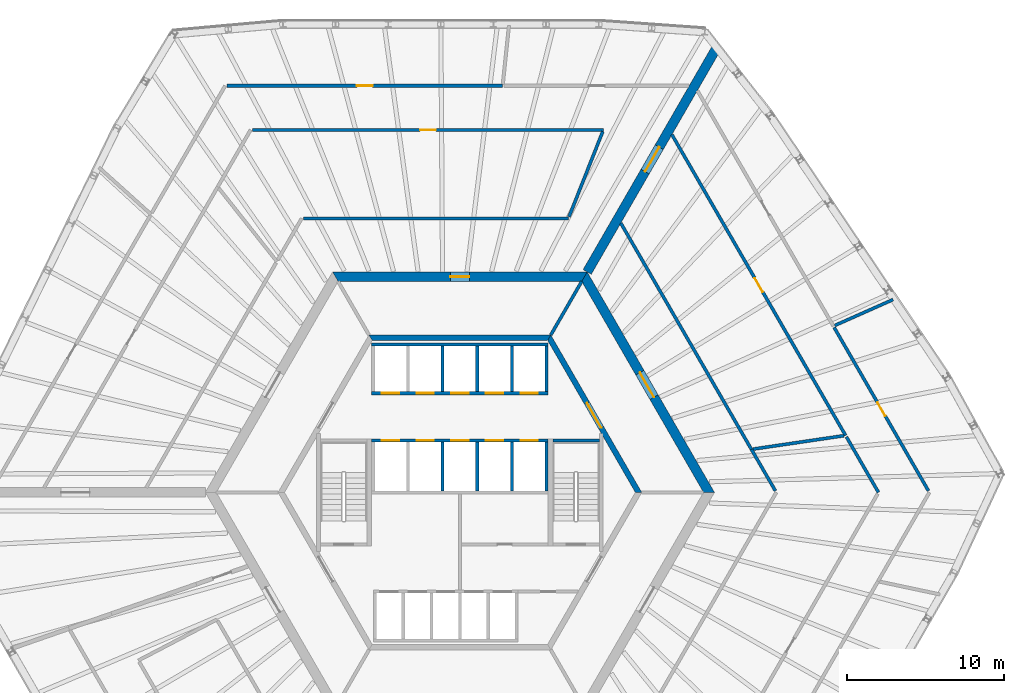
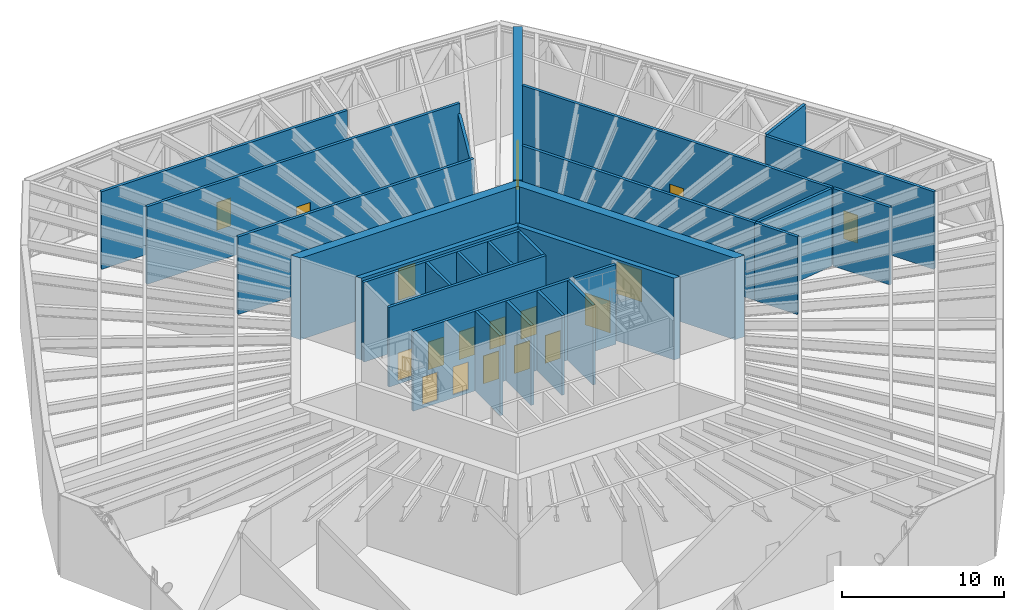
# One storey, part 8 of 11: 29 walls, 18 doors, 18 openings.
"""IFC4 building model written with IfcOpenShell, lengths in metres."""

from ifc_helpers import new_model, si_unit, direction, frame, frame_2d, origin, place, context, subcontext, project, spatial, polyline, rectangle, outline, extrude, material, layer, layer_set, type_object, element, fill, save


model = new_model("IFC4")

# Units and contexts
model_context = context("Model", 3, precision=1e-05, world=origin(), true_north=direction((0.0, 1.0)))
body_context = subcontext(model_context, "Body", "Model", "MODEL_VIEW")
ifc_project = project(units=[si_unit("LENGTHUNIT", "METRE"), si_unit("AREAUNIT", "SQUARE_METRE"), si_unit("VOLUMEUNIT", "CUBIC_METRE"), si_unit("PLANEANGLEUNIT", "RADIAN"), si_unit("MASSUNIT", "GRAM", prefix="KILO")], contexts=[model_context])

# Site, building, storey
site_placement = place(None, origin())
site = spatial("IfcSite", under=ifc_project, at=site_placement, CompositionType="ELEMENT")
building_placement = place(site_placement, origin())
building = spatial("IfcBuilding", under=site, at=building_placement, Name="Tarnside Tower", CompositionType="ELEMENT")
storey_placement = place(building_placement, frame((0.0, 0.0, 31.5)))
storey = spatial("IfcBuildingStorey", under=building, at=storey_placement, Name="L05", CompositionType="ELEMENT", Elevation=31.5)

# Wall, opening, door
ifc_material_1 = material(Name="Concrete C50/60", Category="concrete")
ifc_layer_1 = layer(ifc_material_1, 0.35009765625)
ifc_layer_set_1 = layer_set([ifc_layer_1], Name="Core block wall 350 C50/60")
wall_type_1 = type_object("IfcWallType", Name="Core block wall 350 C50/60", PredefinedType="SHEAR", material=ifc_layer_set_1)
wall_1_placement = place(storey_placement, frame((11.344970703125, 0.0, -0.300048828125), z_axis=(0.0, 0.0, 1.0), x_axis=(-0.499995046907, 0.866028263435, 0.0)))
wall_1 = element("IfcWall", 1, at=wall_1_placement, inside=storey, type_object=wall_type_1, Name="L05 core block wall face 6", PredefinedType="SHEAR", context=body_context, shape_type="SweptSolid", body=[
    extrude(outline(polyline([(-0.10107421875, -0.175048828125), (11.44580078125, -0.175048828125), (11.24365234375, 0.175048828125), (0.10107421875, 0.175048828125), (-0.10107421875, -0.175048828125)])), origin(), (0.0, 0.0, 1.0), 6.150146484375),
])
opening_1_placement = place(wall_1_placement, frame((4.74365234375, 0.0, 0.300048828125)))
opening_1 = element("IfcOpeningElement", 2, at=opening_1_placement, cuts=wall_1, Name="Opening CD-LOB", PredefinedType="OPENING", context=body_context, shape_type="SweptSolid", body=[
    extrude(rectangle(XDim=1.800048828125, YDim=2.39990234375, at=frame_2d((0.89990234375, 1.199951171875))), frame((0.0, 0.18505859375, 0.0), z_axis=(0.0, -1.0, 0.0), x_axis=(1.0, 0.0, 0.0)), (0.0, 0.0, 1.0), 0.3701171875),
])
ifc_material_2 = material(Name="Steel fire door", Category="steel")
door_type_1 = type_object("IfcDoorType", Name="Lobby double door FD30S 1800x2400", OperationType="NOTDEFINED", PredefinedType="DOOR", material=ifc_material_2)
door_1_placement = place(opening_1_placement, origin())
door_1 = element("IfcDoor", 3, at=door_1_placement, inside=storey, type_object=door_type_1, Name="L05 lobby block door P2", OperationType="DOUBLE_DOOR_SINGLE_SWING", OverallHeight=2.39990234375, OverallWidth=1.800048828125, PredefinedType="DOOR", context=body_context, shape_type="SweptSolid", body=[
    extrude(rectangle(XDim=1.800048828125, YDim=2.39990234375, at=frame_2d((0.89990234375, 1.199951171875))), frame((0.0, 0.02490234375, 0.0), z_axis=(0.0, -1.0, 0.0), x_axis=(1.0, 0.0, 0.0)), (0.0, 0.0, 1.0), 0.050048828125),
])
fill(opening_1, door_1)

# Wall
wall_2_placement = place(storey_placement, frame((5.672607421875, 9.824951171875, -0.300048828125), z_axis=(0.0, 0.0, 1.0), x_axis=(-1.0, 0.0, 0.0)))
element("IfcWall", 4, at=wall_2_placement, inside=storey, type_object=wall_type_1, Name="L05 core block wall face 1", PredefinedType="SHEAR", context=body_context, shape_type="SweptSolid", body=[
    extrude(outline(polyline([(-0.10107421875, -0.175048828125), (11.4462890625, -0.175048828125), (11.244140625, 0.175048828125), (0.10107421875, 0.175048828125), (-0.10107421875, -0.175048828125)])), origin(), (0.0, 0.0, 1.0), 6.150146484375),
])

# Wall, opening, door
ifc_material_3 = material(Name="Concrete C80/95", Category="concrete")
ifc_layer_2 = layer(ifc_material_3, 0.60009765625)
ifc_layer_set_2 = layer_set([ifc_layer_2], Name="Core wall Z1 600 C80/95")
wall_type_2 = type_object("IfcWallType", Name="Core wall Z1 600 C80/95", PredefinedType="SHEAR", material=ifc_layer_set_2)
wall_3_placement = place(storey_placement, frame((15.8193359375, 0.0, -0.300048828125), z_axis=(0.0, 0.0, 1.0), x_axis=(-0.499999880136, 0.866025472988, 0.0)))
wall_3 = element("IfcWall", 5, at=wall_3_placement, inside=storey, type_object=wall_type_2, Name="L05 core wall face 6", PredefinedType="SHEAR", context=body_context, shape_type="SweptSolid", body=[
    extrude(outline(polyline([(-0.17333984375, -0.300048828125), (15.99267578125, -0.300048828125), (15.64599609375, 0.300048828125), (0.17333984375, 0.300048828125), (-0.17333984375, -0.300048828125)])), origin(), (0.0, 0.0, 1.0), 6.150146484375),
])
opening_2_placement = place(wall_3_placement, frame((6.980712890625, 0.0, 0.300048828125)))
opening_2 = element("IfcOpeningElement", 6, at=opening_2_placement, cuts=wall_3, Name="Opening CD-LOB", PredefinedType="OPENING", context=body_context, shape_type="SweptSolid", body=[
    extrude(rectangle(XDim=1.800048828125, YDim=2.39990234375, at=frame_2d((0.89990234375, 1.199951171875))), frame((0.0, 0.31005859375, 0.0), z_axis=(0.0, -1.0, 0.0), x_axis=(1.0, 0.0, 0.0)), (0.0, 0.0, 1.0), 0.6201171875),
])
door_2_placement = place(opening_2_placement, origin())
door_2 = element("IfcDoor", 7, at=door_2_placement, inside=storey, type_object=door_type_1, Name="L05 core door P2", OperationType="DOUBLE_DOOR_SINGLE_SWING", OverallHeight=2.39990234375, OverallWidth=1.800048828125, PredefinedType="DOOR", context=body_context, shape_type="SweptSolid", body=[
    extrude(rectangle(XDim=1.800048828125, YDim=2.39990234375, at=frame_2d((0.89990234375, 1.199951171875))), frame((0.0, 0.02490234375, 0.0), z_axis=(0.0, -1.0, 0.0), x_axis=(1.0, 0.0, 0.0)), (0.0, 0.0, 1.0), 0.050048828125),
])
fill(opening_2, door_2)

wall_4_placement = place(storey_placement, frame((7.90966796875, 13.699951171875, -0.300048828125), z_axis=(0.0, 0.0, 1.0), x_axis=(-1.0, 0.0, 0.0)))
wall_4 = element("IfcWall", 8, at=wall_4_placement, inside=storey, type_object=wall_type_2, Name="L05 core wall face 1", PredefinedType="SHEAR", context=body_context, shape_type="SweptSolid", body=[
    extrude(outline(polyline([(-0.17333984375, -0.300048828125), (15.99267578125, -0.300048828125), (15.64599609375, 0.300048828125), (0.17333984375, 0.300048828125), (-0.17333984375, -0.300048828125)])), origin(), (0.0, 0.0, 1.0), 6.150146484375),
])
opening_3_placement = place(wall_4_placement, frame((7.309814453125, 0.0, 0.300048828125)))
opening_3 = element("IfcOpeningElement", 9, at=opening_3_placement, cuts=wall_4, Name="Opening CD-RSR", PredefinedType="OPENING", context=body_context, shape_type="SweptSolid", body=[
    extrude(rectangle(XDim=1.199951171875, YDim=2.39990234375, at=frame_2d((0.60009765625, 1.199951171875))), frame((0.0, 0.31005859375, 0.0), z_axis=(0.0, -1.0, 0.0), x_axis=(1.0, 0.0, 0.0)), (0.0, 0.0, 1.0), 0.6201171875),
])
door_type_2 = type_object("IfcDoorType", Name="Riser door FD60 1200x2400", OperationType="NOTDEFINED", PredefinedType="DOOR", material=ifc_material_2)
door_3_placement = place(opening_3_placement, origin())
door_3 = element("IfcDoor", 10, at=door_3_placement, inside=storey, type_object=door_type_2, Name="L05 core door S5", OperationType="SINGLE_SWING_LEFT", OverallHeight=2.39990234375, OverallWidth=1.199951171875, PredefinedType="DOOR", context=body_context, shape_type="SweptSolid", body=[
    extrude(rectangle(XDim=1.199951171875, YDim=2.39990234375, at=frame_2d((0.60009765625, 1.199951171875))), frame((0.0, 0.02490234375, 0.0), z_axis=(0.0, -1.0, 0.0), x_axis=(1.0, 0.0, 0.0)), (0.0, 0.0, 1.0), 0.050048828125),
])
fill(opening_3, door_3)

wall_5_placement = place(storey_placement, frame((8.0830078125, 14.0, -0.300048828125), z_axis=(0.0, 0.0, 1.0), x_axis=(0.499997680643, 0.866026742862, 0.0)))
wall_5 = element("IfcWall", 11, at=wall_5_placement, inside=storey, type_object=wall_type_2, Name="L05 spine wall 1", PredefinedType="SHEAR", context=body_context, shape_type="SweptSolid", body=[
    extrude(rectangle(XDim=16.5087890625, YDim=0.60009765625, at=frame_2d((8.25439453125, 0.0))), origin(), (0.0, 0.0, 1.0), 6.150146484375),
])
opening_4_placement = place(wall_5_placement, frame((7.3544921875, 0.0, 0.300048828125)))
opening_4 = element("IfcOpeningElement", 12, at=opening_4_placement, cuts=wall_5, Name="Opening CD-SPN", PredefinedType="OPENING", context=body_context, shape_type="SweptSolid", body=[
    extrude(rectangle(XDim=1.800048828125, YDim=2.39990234375, at=frame_2d((0.89990234375, 1.199951171875))), frame((0.0, 0.31005859375, 0.0), z_axis=(0.0, -1.0, 0.0), x_axis=(1.0, 0.0, 0.0)), (0.0, 0.0, 1.0), 0.6201171875),
])
door_type_3 = type_object("IfcDoorType", Name="Spine passage double door FD60 1800x2400", OperationType="NOTDEFINED", PredefinedType="DOOR", material=ifc_material_2)
door_4_placement = place(opening_4_placement, origin())
door_4 = element("IfcDoor", 13, at=door_4_placement, inside=storey, type_object=door_type_3, Name="L05 spine passage door 1", OperationType="DOUBLE_DOOR_SINGLE_SWING", OverallHeight=2.39990234375, OverallWidth=1.800048828125, PredefinedType="DOOR", context=body_context, shape_type="SweptSolid", body=[
    extrude(rectangle(XDim=1.800048828125, YDim=2.39990234375, at=frame_2d((0.89990234375, 1.199951171875))), frame((0.0, 0.02490234375, 0.0), z_axis=(0.0, -1.0, 0.0), x_axis=(1.0, 0.0, 0.0)), (0.0, 0.0, 1.0), 0.050048828125),
])
fill(opening_4, door_4)

# Wall, openings, doors
ifc_material_4 = material(Name="Concrete C40/50", Category="concrete")
ifc_layer_3 = layer(ifc_material_4, 0.199951171875)
ifc_layer_set_3 = layer_set([ifc_layer_3], Name="Lift shaft wall 200 C40/50")
wall_type_3 = type_object("IfcWallType", Name="Lift shaft wall 200 C40/50", PredefinedType="SHEAR", material=ifc_layer_set_3)
wall_6_placement = place(storey_placement, frame((-5.60009765625, 6.300048828125, -0.25), z_axis=(0.0, 0.0, 1.0), x_axis=(1.0, 0.0, 0.0)))
wall_6 = element("IfcWall", 14, at=wall_6_placement, inside=storey, type_object=wall_type_3, Name="L05 lift shaft front wall R1", PredefinedType="SHEAR", context=body_context, shape_type="SweptSolid", body=[
    extrude(rectangle(XDim=11.2001953125, YDim=0.199951171875, at=frame_2d((5.60009765625, 0.0))), origin(), (0.0, 0.0, 1.0), 6.0),
])
opening_5_placement = place(wall_6_placement, frame((0.64990234375, 0.0, 0.25)))
opening_5 = element("IfcOpeningElement", 15, at=opening_5_placement, cuts=wall_6, Name="Opening LD", PredefinedType="OPENING", context=body_context, shape_type="SweptSolid", body=[
    extrude(rectangle(XDim=1.10009765625, YDim=2.10009765625, at=frame_2d((0.550048828125, 1.050048828125))), frame((0.0, 0.10986328125, 0.0), z_axis=(0.0, -1.0, 0.0), x_axis=(1.0, 0.0, 0.0)), (0.0, 0.0, 1.0), 0.219970703125),
])
opening_6_placement = place(wall_6_placement, frame((2.85009765625, 0.0, 0.25)))
opening_6 = element("IfcOpeningElement", 16, at=opening_6_placement, cuts=wall_6, Name="Opening LD", PredefinedType="OPENING", context=body_context, shape_type="SweptSolid", body=[
    extrude(rectangle(XDim=1.10009765625, YDim=2.10009765625, at=frame_2d((0.550048828125, 1.050048828125))), frame((0.0, 0.10986328125, 0.0), z_axis=(0.0, -1.0, 0.0), x_axis=(1.0, 0.0, 0.0)), (0.0, 0.0, 1.0), 0.219970703125),
])
opening_7_placement = place(wall_6_placement, frame((5.050048828125, 0.0, 0.25)))
opening_7 = element("IfcOpeningElement", 17, at=opening_7_placement, cuts=wall_6, Name="Opening LD", PredefinedType="OPENING", context=body_context, shape_type="SweptSolid", body=[
    extrude(rectangle(XDim=1.10009765625, YDim=2.10009765625, at=frame_2d((0.550048828125, 1.050048828125))), frame((0.0, 0.10986328125, 0.0), z_axis=(0.0, -1.0, 0.0), x_axis=(1.0, 0.0, 0.0)), (0.0, 0.0, 1.0), 0.219970703125),
])
opening_8_placement = place(wall_6_placement, frame((7.25, 0.0, 0.25)))
opening_8 = element("IfcOpeningElement", 18, at=opening_8_placement, cuts=wall_6, Name="Opening LD", PredefinedType="OPENING", context=body_context, shape_type="SweptSolid", body=[
    extrude(rectangle(XDim=1.10009765625, YDim=2.10009765625, at=frame_2d((0.550048828125, 1.050048828125))), frame((0.0, 0.10986328125, 0.0), z_axis=(0.0, -1.0, 0.0), x_axis=(1.0, 0.0, 0.0)), (0.0, 0.0, 1.0), 0.219970703125),
])
opening_9_placement = place(wall_6_placement, frame((9.449951171875, 0.0, 0.25)))
opening_9 = element("IfcOpeningElement", 19, at=opening_9_placement, cuts=wall_6, Name="Opening LD", PredefinedType="OPENING", context=body_context, shape_type="SweptSolid", body=[
    extrude(rectangle(XDim=1.10009765625, YDim=2.10009765625, at=frame_2d((0.550048828125, 1.050048828125))), frame((0.0, 0.10986328125, 0.0), z_axis=(0.0, -1.0, 0.0), x_axis=(1.0, 0.0, 0.0)), (0.0, 0.0, 1.0), 0.219970703125),
])
ifc_material_5 = material(Name="Stainless steel", Category="steel")
door_type_4 = type_object("IfcDoorType", Name="Lift landing door 1100x2100", OperationType="NOTDEFINED", PredefinedType="DOOR", material=ifc_material_5)
door_5_placement = place(opening_5_placement, origin())
door_5 = element("IfcDoor", 20, at=door_5_placement, inside=storey, type_object=door_type_4, Name="Low-rise lift 1 landing door L05", OperationType="SLIDING_TO_LEFT", OverallHeight=2.10009765625, OverallWidth=1.10009765625, PredefinedType="DOOR", context=body_context, shape_type="SweptSolid", body=[
    extrude(rectangle(XDim=1.10009765625, YDim=2.10009765625, at=frame_2d((0.550048828125, 1.050048828125))), frame((0.0, 0.02490234375, 0.0), z_axis=(0.0, -1.0, 0.0), x_axis=(1.0, 0.0, 0.0)), (0.0, 0.0, 1.0), 0.050048828125),
])
fill(opening_5, door_5)
door_6_placement = place(opening_6_placement, origin())
door_6 = element("IfcDoor", 21, at=door_6_placement, inside=storey, type_object=door_type_4, Name="Low-rise lift 2 landing door L05", OperationType="SLIDING_TO_LEFT", OverallHeight=2.10009765625, OverallWidth=1.10009765625, PredefinedType="DOOR", context=body_context, shape_type="SweptSolid", body=[
    extrude(rectangle(XDim=1.10009765625, YDim=2.10009765625, at=frame_2d((0.550048828125, 1.050048828125))), frame((0.0, 0.02490234375, 0.0), z_axis=(0.0, -1.0, 0.0), x_axis=(1.0, 0.0, 0.0)), (0.0, 0.0, 1.0), 0.050048828125),
])
fill(opening_6, door_6)
door_7_placement = place(opening_7_placement, origin())
door_7 = element("IfcDoor", 22, at=door_7_placement, inside=storey, type_object=door_type_4, Name="Low-rise lift 3 landing door L05", OperationType="SLIDING_TO_LEFT", OverallHeight=2.10009765625, OverallWidth=1.10009765625, PredefinedType="DOOR", context=body_context, shape_type="SweptSolid", body=[
    extrude(rectangle(XDim=1.10009765625, YDim=2.10009765625, at=frame_2d((0.550048828125, 1.050048828125))), frame((0.0, 0.02490234375, 0.0), z_axis=(0.0, -1.0, 0.0), x_axis=(1.0, 0.0, 0.0)), (0.0, 0.0, 1.0), 0.050048828125),
])
fill(opening_7, door_7)
door_8_placement = place(opening_8_placement, origin())
door_8 = element("IfcDoor", 23, at=door_8_placement, inside=storey, type_object=door_type_4, Name="Low sky-lobby shuttle 1 landing door L05", OperationType="SLIDING_TO_LEFT", OverallHeight=2.10009765625, OverallWidth=1.10009765625, PredefinedType="DOOR", context=body_context, shape_type="SweptSolid", body=[
    extrude(rectangle(XDim=1.10009765625, YDim=2.10009765625, at=frame_2d((0.550048828125, 1.050048828125))), frame((0.0, 0.02490234375, 0.0), z_axis=(0.0, -1.0, 0.0), x_axis=(1.0, 0.0, 0.0)), (0.0, 0.0, 1.0), 0.050048828125),
])
fill(opening_8, door_8)
door_9_placement = place(opening_9_placement, origin())
door_9 = element("IfcDoor", 24, at=door_9_placement, inside=storey, type_object=door_type_4, Name="Low sky-lobby shuttle 2 landing door L05", OperationType="SLIDING_TO_LEFT", OverallHeight=2.10009765625, OverallWidth=1.10009765625, PredefinedType="DOOR", context=body_context, shape_type="SweptSolid", body=[
    extrude(rectangle(XDim=1.10009765625, YDim=2.10009765625, at=frame_2d((0.550048828125, 1.050048828125))), frame((0.0, 0.02490234375, 0.0), z_axis=(0.0, -1.0, 0.0), x_axis=(1.0, 0.0, 0.0)), (0.0, 0.0, 1.0), 0.050048828125),
])
fill(opening_9, door_9)

# Walls
wall_7_placement = place(storey_placement, frame((-5.60009765625, 9.39990234375, -0.25), z_axis=(0.0, 0.0, 1.0), x_axis=(1.0, 0.0, 0.0)))
element("IfcWall", 25, at=wall_7_placement, inside=storey, type_object=wall_type_3, Name="L05 lift shaft back wall R1", PredefinedType="SHEAR", context=body_context, shape_type="SweptSolid", body=[
    extrude(rectangle(XDim=11.2001953125, YDim=0.199951171875, at=frame_2d((5.60009765625, 0.0))), origin(), (0.0, 0.0, 1.0), 6.0),
])
for number, where, z_axis, x_axis, name in (
    (26, (-1.10009765625, 6.39990234375, -0.25), (0.0, 0.0, 1.0), (0.0, 1.0, 0.0), "L05 lift shaft partition R13"),
    (27, (1.10009765625, 6.39990234375, -0.25), (0.0, 0.0, 1.0), (0.0, 1.0, 0.0), "L05 lift shaft partition R14"),
    (28, (3.300048828125, 6.39990234375, -0.25), (0.0, 0.0, 1.0), (0.0, 1.0, 0.0), "L05 lift shaft partition R15"),
    (29, (5.5, 6.39990234375, -0.25), (0.0, 0.0, 1.0), (0.0, 1.0, 0.0), "L05 lift shaft partition R16"),
):
    element("IfcWall", number, at=place(storey_placement, frame(where, z_axis=z_axis, x_axis=x_axis)), inside=storey, type_object=wall_type_3, Name=name, PredefinedType="SHEAR", context=body_context, shape_type="SweptSolid", body=[
        extrude(rectangle(XDim=2.900146484375, YDim=0.199951171875, at=frame_2d((1.4501953125, 0.0))), origin(), (0.0, 0.0, 1.0), 6.0),
    ])

# Wall, openings, doors
wall_8_placement = place(storey_placement, frame((-5.60009765625, 3.300048828125, -0.25), z_axis=(0.0, 0.0, 1.0), x_axis=(1.0, 0.0, 0.0)))
wall_8 = element("IfcWall", 30, at=wall_8_placement, inside=storey, type_object=wall_type_3, Name="L05 lift shaft front wall R2", PredefinedType="SHEAR", context=body_context, shape_type="SweptSolid", body=[
    extrude(rectangle(XDim=11.2001953125, YDim=0.199951171875, at=frame_2d((5.60009765625, 0.0))), origin(), (0.0, 0.0, 1.0), 6.0),
])
opening_10_placement = place(wall_8_placement, frame((0.64990234375, 0.0, 0.25)))
opening_10 = element("IfcOpeningElement", 31, at=opening_10_placement, cuts=wall_8, Name="Opening LD", PredefinedType="OPENING", context=body_context, shape_type="SweptSolid", body=[
    extrude(rectangle(XDim=1.10009765625, YDim=2.10009765625, at=frame_2d((0.550048828125, 1.050048828125))), frame((0.0, 0.10986328125, 0.0), z_axis=(0.0, -1.0, 0.0), x_axis=(1.0, 0.0, 0.0)), (0.0, 0.0, 1.0), 0.219970703125),
])
opening_11_placement = place(wall_8_placement, frame((2.85009765625, 0.0, 0.25)))
opening_11 = element("IfcOpeningElement", 32, at=opening_11_placement, cuts=wall_8, Name="Opening LD", PredefinedType="OPENING", context=body_context, shape_type="SweptSolid", body=[
    extrude(rectangle(XDim=1.10009765625, YDim=2.10009765625, at=frame_2d((0.550048828125, 1.050048828125))), frame((0.0, 0.10986328125, 0.0), z_axis=(0.0, -1.0, 0.0), x_axis=(1.0, 0.0, 0.0)), (0.0, 0.0, 1.0), 0.219970703125),
])
opening_12_placement = place(wall_8_placement, frame((5.050048828125, 0.0, 0.25)))
opening_12 = element("IfcOpeningElement", 33, at=opening_12_placement, cuts=wall_8, Name="Opening LD", PredefinedType="OPENING", context=body_context, shape_type="SweptSolid", body=[
    extrude(rectangle(XDim=1.10009765625, YDim=2.10009765625, at=frame_2d((0.550048828125, 1.050048828125))), frame((0.0, 0.10986328125, 0.0), z_axis=(0.0, -1.0, 0.0), x_axis=(1.0, 0.0, 0.0)), (0.0, 0.0, 1.0), 0.219970703125),
])
opening_13_placement = place(wall_8_placement, frame((7.25, 0.0, 0.25)))
opening_13 = element("IfcOpeningElement", 34, at=opening_13_placement, cuts=wall_8, Name="Opening LD", PredefinedType="OPENING", context=body_context, shape_type="SweptSolid", body=[
    extrude(rectangle(XDim=1.10009765625, YDim=2.10009765625, at=frame_2d((0.550048828125, 1.050048828125))), frame((0.0, 0.10986328125, 0.0), z_axis=(0.0, -1.0, 0.0), x_axis=(1.0, 0.0, 0.0)), (0.0, 0.0, 1.0), 0.219970703125),
])
opening_14_placement = place(wall_8_placement, frame((9.449951171875, 0.0, 0.25)))
opening_14 = element("IfcOpeningElement", 35, at=opening_14_placement, cuts=wall_8, Name="Opening LD", PredefinedType="OPENING", context=body_context, shape_type="SweptSolid", body=[
    extrude(rectangle(XDim=1.10009765625, YDim=2.10009765625, at=frame_2d((0.550048828125, 1.050048828125))), frame((0.0, 0.10986328125, 0.0), z_axis=(0.0, -1.0, 0.0), x_axis=(1.0, 0.0, 0.0)), (0.0, 0.0, 1.0), 0.219970703125),
])
door_10_placement = place(opening_10_placement, origin())
door_10 = element("IfcDoor", 36, at=door_10_placement, inside=storey, type_object=door_type_4, Name="Low-rise lift 4 landing door L05", OperationType="SLIDING_TO_LEFT", OverallHeight=2.10009765625, OverallWidth=1.10009765625, PredefinedType="DOOR", context=body_context, shape_type="SweptSolid", body=[
    extrude(rectangle(XDim=1.10009765625, YDim=2.10009765625, at=frame_2d((0.550048828125, 1.050048828125))), frame((0.0, 0.02490234375, 0.0), z_axis=(0.0, -1.0, 0.0), x_axis=(1.0, 0.0, 0.0)), (0.0, 0.0, 1.0), 0.050048828125),
])
fill(opening_10, door_10)
door_11_placement = place(opening_11_placement, origin())
door_11 = element("IfcDoor", 37, at=door_11_placement, inside=storey, type_object=door_type_4, Name="Low-rise lift 5 landing door L05", OperationType="SLIDING_TO_LEFT", OverallHeight=2.10009765625, OverallWidth=1.10009765625, PredefinedType="DOOR", context=body_context, shape_type="SweptSolid", body=[
    extrude(rectangle(XDim=1.10009765625, YDim=2.10009765625, at=frame_2d((0.550048828125, 1.050048828125))), frame((0.0, 0.02490234375, 0.0), z_axis=(0.0, -1.0, 0.0), x_axis=(1.0, 0.0, 0.0)), (0.0, 0.0, 1.0), 0.050048828125),
])
fill(opening_11, door_11)
door_12_placement = place(opening_12_placement, origin())
door_12 = element("IfcDoor", 38, at=door_12_placement, inside=storey, type_object=door_type_4, Name="Low-rise lift 6 landing door L05", OperationType="SLIDING_TO_LEFT", OverallHeight=2.10009765625, OverallWidth=1.10009765625, PredefinedType="DOOR", context=body_context, shape_type="SweptSolid", body=[
    extrude(rectangle(XDim=1.10009765625, YDim=2.10009765625, at=frame_2d((0.550048828125, 1.050048828125))), frame((0.0, 0.02490234375, 0.0), z_axis=(0.0, -1.0, 0.0), x_axis=(1.0, 0.0, 0.0)), (0.0, 0.0, 1.0), 0.050048828125),
])
fill(opening_12, door_12)
door_13_placement = place(opening_13_placement, origin())
door_13 = element("IfcDoor", 39, at=door_13_placement, inside=storey, type_object=door_type_4, Name="High sky-lobby shuttle 1 landing door L05", OperationType="SLIDING_TO_LEFT", OverallHeight=2.10009765625, OverallWidth=1.10009765625, PredefinedType="DOOR", context=body_context, shape_type="SweptSolid", body=[
    extrude(rectangle(XDim=1.10009765625, YDim=2.10009765625, at=frame_2d((0.550048828125, 1.050048828125))), frame((0.0, 0.02490234375, 0.0), z_axis=(0.0, -1.0, 0.0), x_axis=(1.0, 0.0, 0.0)), (0.0, 0.0, 1.0), 0.050048828125),
])
fill(opening_13, door_13)
door_14_placement = place(opening_14_placement, origin())
door_14 = element("IfcDoor", 40, at=door_14_placement, inside=storey, type_object=door_type_4, Name="Express sky-lobby shuttle 2 landing door L05", OperationType="SLIDING_TO_LEFT", OverallHeight=2.10009765625, OverallWidth=1.10009765625, PredefinedType="DOOR", context=body_context, shape_type="SweptSolid", body=[
    extrude(rectangle(XDim=1.10009765625, YDim=2.10009765625, at=frame_2d((0.550048828125, 1.050048828125))), frame((0.0, 0.02490234375, 0.0), z_axis=(0.0, -1.0, 0.0), x_axis=(1.0, 0.0, 0.0)), (0.0, 0.0, 1.0), 0.050048828125),
])
fill(opening_14, door_14)

# Walls
for number, where, z_axis, x_axis, name in (
    (41, (-1.10009765625, 0.10009765625, -0.25), (0.0, 0.0, 1.0), (0.0, 1.0, 0.0), "L05 lift shaft partition R23"),
    (42, (1.10009765625, 0.10009765625, -0.25), (0.0, 0.0, 1.0), (0.0, 1.0, 0.0), "L05 lift shaft partition R24"),
    (43, (3.300048828125, 0.10009765625, -0.25), (0.0, 0.0, 1.0), (0.0, 1.0, 0.0), "L05 lift shaft partition R25"),
    (44, (5.5, 0.10009765625, -0.25), (0.0, 0.0, 1.0), (0.0, 1.0, 0.0), "L05 lift shaft partition R26"),
):
    element("IfcWall", number, at=place(storey_placement, frame(where, z_axis=z_axis, x_axis=x_axis)), inside=storey, type_object=wall_type_3, Name=name, PredefinedType="SHEAR", context=body_context, shape_type="SweptSolid", body=[
        extrude(rectangle(XDim=3.099853515625, YDim=0.199951171875, at=frame_2d((1.5498046875, 0.0))), origin(), (0.0, 0.0, 1.0), 6.0),
    ])
wall_9_placement = place(storey_placement, frame((5.7734375, 10.0, -0.300048828125), z_axis=(0.0, 0.0, 1.0), x_axis=(0.500038251005, 0.86600331843, 0.0)))
element("IfcWall", 45, at=wall_9_placement, inside=storey, type_object=wall_type_3, Name="L05 core partition AR60", PredefinedType="SHEAR", context=body_context, shape_type="SweptSolid", body=[
    extrude(rectangle(XDim=3.926025390625, YDim=0.199951171875, at=frame_2d((1.962890625, 0.0))), origin(), (0.0, 0.0, 1.0), 6.150146484375),
])
wall_10_placement = place(storey_placement, frame((5.89990234375, 3.300048828125, -0.25), z_axis=(0.0, 0.0, 1.0), x_axis=(1.0, 0.0, 0.0)))
element("IfcWall", 46, at=wall_10_placement, inside=storey, type_object=wall_type_3, Name="L05 stair 1 enclosure cap wall n", PredefinedType="SHEAR", context=body_context, shape_type="SweptSolid", body=[
    extrude(rectangle(XDim=2.9501953125, YDim=0.199951171875, at=frame_2d((1.47509765625, 0.0))), origin(), (0.0, 0.0, 1.0), 6.0),
])

# Wall, opening, door
ifc_material_6 = material(Name="Concrete C32/40", Category="concrete")
ifc_layer_4 = layer(ifc_material_6, 0.199951171875)
ifc_layer_set_4 = layer_set([ifc_layer_4], Name="Wall 200 reinforced Concrete C32/40")
wall_type_4 = type_object("IfcWallType", Name="Wall 200 reinforced Concrete C32/40", PredefinedType="PARTITIONING", material=ifc_layer_set_4)
wall_11_placement = place(storey_placement, frame((9.114013671875, 23.02001953125, 0.0), z_axis=(0.0, 0.0, 1.0), x_axis=(-1.0, 0.0, 0.0)))
wall_11 = element("IfcWall", 47, at=wall_11_placement, inside=storey, type_object=wall_type_4, Name="Partition 017", PredefinedType="PARTITIONING", context=body_context, shape_type="SweptSolid", body=[
    extrude(rectangle(XDim=22.28955078125, YDim=0.199951171875, at=frame_2d((11.144775390625, 0.0))), origin(), (0.0, 0.0, 1.0), 5.85009765625),
])
opening_15_placement = place(wall_11_placement, frame((10.644775390625, 0.0, 0.0)))
opening_15 = element("IfcOpeningElement", 48, at=opening_15_placement, cuts=wall_11, Name="Opening D1000F60", PredefinedType="OPENING", context=body_context, shape_type="SweptSolid", body=[
    extrude(rectangle(XDim=1.0, YDim=2.10009765625, at=frame_2d((0.5, 1.050048828125))), frame((0.0, 0.10986328125, 0.0), z_axis=(0.0, -1.0, 0.0), x_axis=(1.0, 0.0, 0.0)), (0.0, 0.0, 1.0), 0.219970703125),
])
ifc_material_7 = material(Name="Timber door leaf", Category="wood")
door_type_5 = type_object("IfcDoorType", Name="Door 1000 x 2100 single leaf FD60 fire door", OperationType="NOTDEFINED", PredefinedType="DOOR", material=ifc_material_7)
door_15_placement = place(opening_15_placement, origin())
door_15 = element("IfcDoor", 49, at=door_15_placement, inside=storey, type_object=door_type_5, Name="Door L05-07", OperationType="SINGLE_SWING_RIGHT", OverallHeight=2.10009765625, OverallWidth=1.0, PredefinedType="DOOR", context=body_context, shape_type="SweptSolid", body=[
    extrude(rectangle(XDim=1.0, YDim=2.10009765625, at=frame_2d((0.5, 1.050048828125))), frame((0.0, 0.02490234375, 0.0), z_axis=(0.0, -1.0, 0.0), x_axis=(1.0, 0.0, 0.0)), (0.0, 0.0, 1.0), 0.050048828125),
])
fill(opening_15, door_15)

wall_12_placement = place(storey_placement, frame((2.714111328125, 25.820068359375, 0.0), z_axis=(0.0, 0.0, 1.0), x_axis=(-1.0, 0.0, 0.0)))
wall_12 = element("IfcWall", 50, at=wall_12_placement, inside=storey, type_object=wall_type_4, Name="Partition 026", PredefinedType="PARTITIONING", context=body_context, shape_type="SweptSolid", body=[
    extrude(rectangle(XDim=17.505615234375, YDim=0.199951171875, at=frame_2d((8.7529296875, 0.0))), origin(), (0.0, 0.0, 1.0), 5.85009765625),
])
opening_16_placement = place(wall_12_placement, frame((8.252685546875, 0.0, 0.0)))
opening_16 = element("IfcOpeningElement", 51, at=opening_16_placement, cuts=wall_12, Name="Opening D1000F60", PredefinedType="OPENING", context=body_context, shape_type="SweptSolid", body=[
    extrude(rectangle(XDim=1.0, YDim=2.10009765625, at=frame_2d((0.5, 1.050048828125))), frame((0.0, 0.10986328125, 0.0), z_axis=(0.0, -1.0, 0.0), x_axis=(1.0, 0.0, 0.0)), (0.0, 0.0, 1.0), 0.219970703125),
])
door_16_placement = place(opening_16_placement, origin())
door_16 = element("IfcDoor", 52, at=door_16_placement, inside=storey, type_object=door_type_5, Name="Door L05-09", OperationType="SINGLE_SWING_RIGHT", OverallHeight=2.10009765625, OverallWidth=1.0, PredefinedType="DOOR", context=body_context, shape_type="SweptSolid", body=[
    extrude(rectangle(XDim=1.0, YDim=2.10009765625, at=frame_2d((0.5, 1.050048828125))), frame((0.0, 0.02490234375, 0.0), z_axis=(0.0, -1.0, 0.0), x_axis=(1.0, 0.0, 0.0)), (0.0, 0.0, 1.0), 0.050048828125),
])
fill(opening_16, door_16)

# Walls
wall_13_placement = place(storey_placement, frame((6.888916015625, 17.39990234375, 0.0), z_axis=(0.0, 0.0, 1.0), x_axis=(-1.0, 0.0, 0.0)))
element("IfcWall", 53, at=wall_13_placement, inside=storey, type_object=wall_type_4, Name="Partition 028", PredefinedType="PARTITIONING", context=body_context, shape_type="SweptSolid", body=[
    extrude(rectangle(XDim=16.8193359375, YDim=0.199951171875, at=frame_2d((8.40966796875, 0.0))), origin(), (0.0, 0.0, 1.0), 5.85009765625),
])
wall_14_placement = place(storey_placement, frame((9.074462890625, 22.919921875, 0.0), z_axis=(0.0, 0.0, 1.0), x_axis=(-0.368102763672, -0.929785112473, 0.0)))
element("IfcWall", 54, at=wall_14_placement, inside=storey, type_object=wall_type_4, Name="Partition 029", PredefinedType="PARTITIONING", context=body_context, shape_type="SweptSolid", body=[
    extrude(rectangle(XDim=5.8291015625, YDim=0.199951171875, at=frame_2d((2.91455078125, 0.0))), origin(), (0.0, 0.0, 1.0), 5.087890625),
])

# Wall, opening, door
wall_15_placement = place(storey_placement, frame((24.492919921875, 3.616943359375, 0.0), z_axis=(0.0, 0.0, 1.0), x_axis=(-0.49998880049, 0.866031869728, 0.0)))
wall_15 = element("IfcWall", 55, at=wall_15_placement, inside=storey, type_object=wall_type_4, Name="Partition 032", PredefinedType="PARTITIONING", context=body_context, shape_type="SweptSolid", body=[
    extrude(rectangle(XDim=22.05810546875, YDim=0.199951171875, at=frame_2d((11.029052734375, 0.0))), origin(), (0.0, 0.0, 1.0), 5.85009765625),
])
opening_17_placement = place(wall_15_placement, frame((10.529052734375, 0.0, 0.0)))
opening_17 = element("IfcOpeningElement", 56, at=opening_17_placement, cuts=wall_15, Name="Opening D1000F60", PredefinedType="OPENING", context=body_context, shape_type="SweptSolid", body=[
    extrude(rectangle(XDim=1.0, YDim=2.10009765625, at=frame_2d((0.5, 1.050048828125))), frame((0.0, 0.10986328125, 0.0), z_axis=(0.0, -1.0, 0.0), x_axis=(1.0, 0.0, 0.0)), (0.0, 0.0, 1.0), 0.219970703125),
])
door_17_placement = place(opening_17_placement, origin())
door_17 = element("IfcDoor", 57, at=door_17_placement, inside=storey, type_object=door_type_5, Name="Door L05-11", OperationType="SINGLE_SWING_RIGHT", OverallHeight=2.10009765625, OverallWidth=1.0, PredefinedType="DOOR", context=body_context, shape_type="SweptSolid", body=[
    extrude(rectangle(XDim=1.0, YDim=2.10009765625, at=frame_2d((0.5, 1.050048828125))), frame((0.0, 0.02490234375, 0.0), z_axis=(0.0, -1.0, 0.0), x_axis=(1.0, 0.0, 0.0)), (0.0, 0.0, 1.0), 0.050048828125),
])
fill(opening_17, door_17)

# Walls
wall_16_placement = place(storey_placement, frame((18.512939453125, 2.73388671875, 0.0), z_axis=(0.0, 0.0, 1.0), x_axis=(-0.499982347303, 0.866035595334, 0.0)))
element("IfcWall", 58, at=wall_16_placement, inside=storey, type_object=wall_type_4, Name="Partition 036", PredefinedType="PARTITIONING", context=body_context, shape_type="SweptSolid", body=[
    extrude(rectangle(XDim=16.58837890625, YDim=0.199951171875, at=frame_2d((8.294189453125, 0.0))), origin(), (0.0, 0.0, 1.0), 5.85009765625),
])
wall_17_placement = place(storey_placement, frame((20.0341796875, 0.10009765625, 0.0), z_axis=(0.0, 0.0, 1.0), x_axis=(-0.500153222552, 0.865936922628, 0.0)))
element("IfcWall", 59, at=wall_17_placement, inside=storey, type_object=wall_type_4, Name="Partition 037", PredefinedType="PARTITIONING", context=body_context, shape_type="SweptSolid", body=[
    extrude(rectangle(XDim=3.04150390625, YDim=0.199951171875, at=frame_2d((1.520751953125, 0.0))), origin(), (0.0, 0.0, 1.0), 5.85009765625),
])
wall_18_placement = place(storey_placement, frame((24.38671875, 3.601318359375, 0.0), z_axis=(0.0, 0.0, 1.0), x_axis=(-0.989274397473, -0.146069047047, 0.0)))
element("IfcWall", 60, at=wall_18_placement, inside=storey, type_object=wall_type_4, Name="Partition 039", PredefinedType="PARTITIONING", context=body_context, shape_type="SweptSolid", body=[
    extrude(rectangle(XDim=5.829833984375, YDim=0.199951171875, at=frame_2d((2.9150390625, 0.0))), origin(), (0.0, 0.0, 1.0), 5.85009765625),
])
wall_19_placement = place(storey_placement, frame((24.546875, 3.52392578125, 0.0), z_axis=(0.0, 0.0, 1.0), x_axis=(0.499933676373, -0.866063692362, 0.0)))
element("IfcWall", 61, at=wall_19_placement, inside=storey, type_object=wall_type_4, Name="Partition 040", PredefinedType="PARTITIONING", context=body_context, shape_type="SweptSolid", body=[
    extrude(rectangle(XDim=4.06884765625, YDim=0.199951171875, at=frame_2d((2.034423828125, 0.0))), origin(), (0.0, 0.0, 1.0), 5.85009765625),
])
wall_20_placement = place(storey_placement, frame((27.501708984375, 12.244384765625, 0.0), z_axis=(0.0, 0.0, 1.0), x_axis=(-0.913562251787, -0.406698920714, 0.0)))
element("IfcWall", 62, at=wall_20_placement, inside=storey, type_object=wall_type_4, Name="Partition 043", PredefinedType="PARTITIONING", context=body_context, shape_type="SweptSolid", body=[
    extrude(rectangle(XDim=4.041259765625, YDim=0.199951171875, at=frame_2d((2.0205078125, 0.0))), origin(), (0.0, 0.0, 1.0), 5.85009765625),
])

# Wall, opening, door
wall_21_placement = place(storey_placement, frame((23.768310546875, 10.472900390625, 0.0), z_axis=(0.0, 0.0, 1.0), x_axis=(0.499955956564, -0.866050830781, 0.0)))
wall_21 = element("IfcWall", 63, at=wall_21_placement, inside=storey, type_object=wall_type_4, Name="Partition 044", PredefinedType="PARTITIONING", context=body_context, shape_type="SweptSolid", body=[
    extrude(rectangle(XDim=11.97705078125, YDim=0.199951171875, at=frame_2d((5.988525390625, 0.0))), origin(), (0.0, 0.0, 1.0), 5.85009765625),
])
opening_18_placement = place(wall_21_placement, frame((5.488525390625, 0.0, 0.0)))
opening_18 = element("IfcOpeningElement", 64, at=opening_18_placement, cuts=wall_21, Name="Opening D1000F60", PredefinedType="OPENING", context=body_context, shape_type="SweptSolid", body=[
    extrude(rectangle(XDim=1.0, YDim=2.10009765625, at=frame_2d((0.5, 1.050048828125))), frame((0.0, 0.10986328125, 0.0), z_axis=(0.0, -1.0, 0.0), x_axis=(1.0, 0.0, 0.0)), (0.0, 0.0, 1.0), 0.219970703125),
])
door_18_placement = place(opening_18_placement, origin())
door_18 = element("IfcDoor", 65, at=door_18_placement, inside=storey, type_object=door_type_5, Name="Door L05-16", OperationType="SINGLE_SWING_LEFT", OverallHeight=2.10009765625, OverallWidth=1.0, PredefinedType="DOOR", context=body_context, shape_type="SweptSolid", body=[
    extrude(rectangle(XDim=1.0, YDim=2.10009765625, at=frame_2d((0.5, 1.050048828125))), frame((0.0, 0.02490234375, 0.0), z_axis=(0.0, -1.0, 0.0), x_axis=(1.0, 0.0, 0.0)), (0.0, 0.0, 1.0), 0.050048828125),
])
fill(opening_18, door_18)

save(model, "model.ifc")
